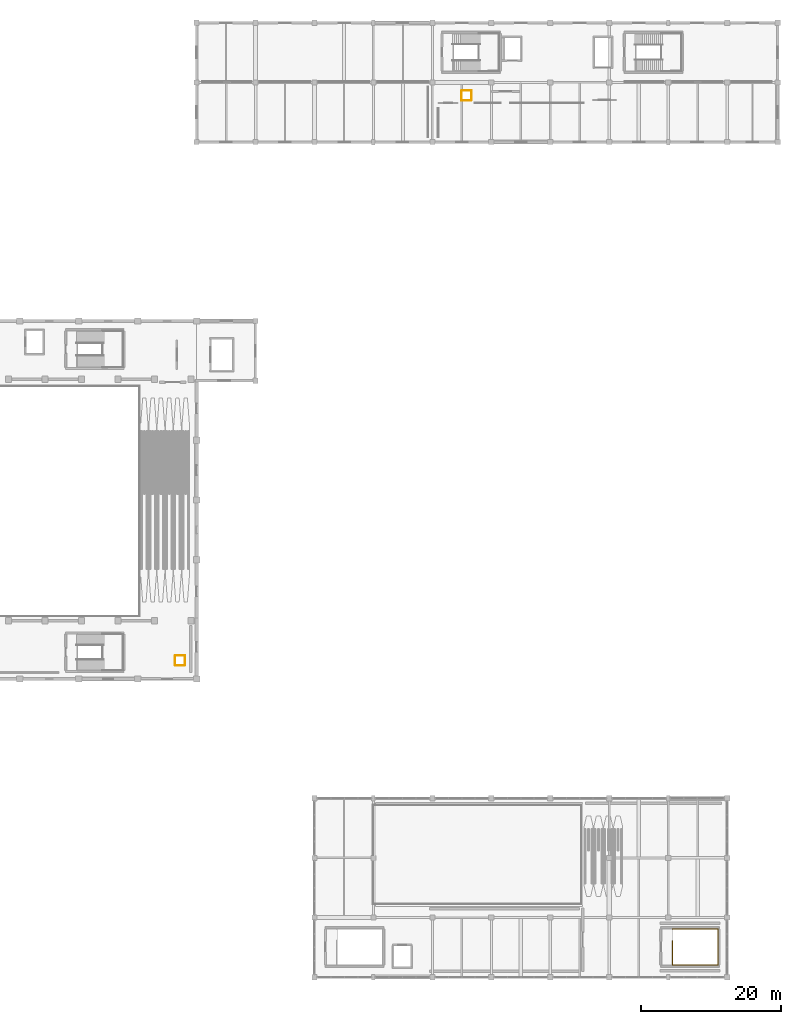
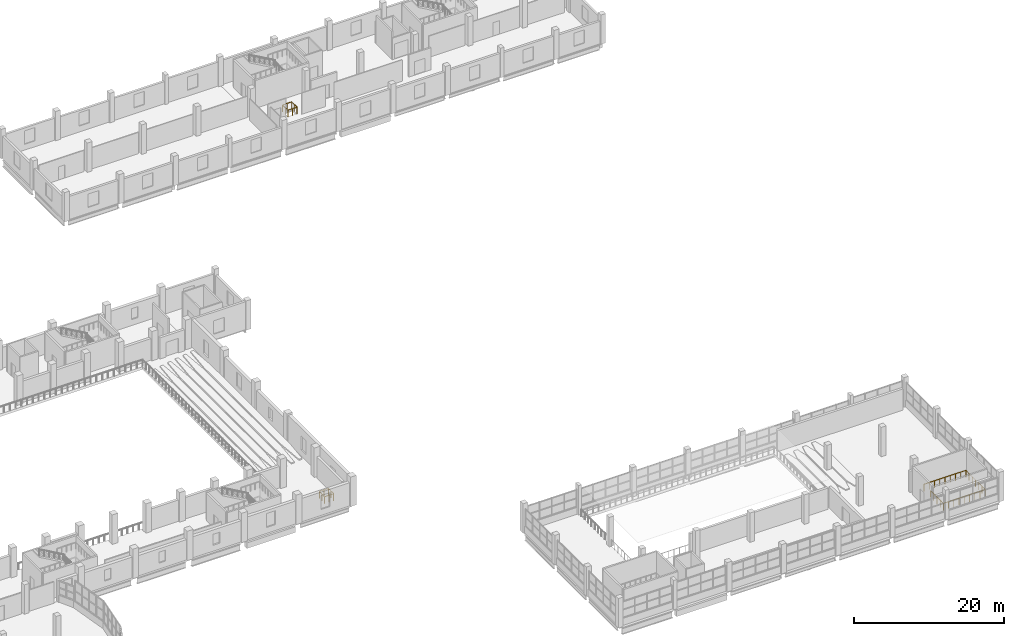
# One storey, part 75 of 77: 5 railings.
"""IFC4 building model written with IfcOpenShell, lengths in metres."""

import ifcopenshell
import ifcopenshell.guid

model = None  # the IFC model being written
_history = None  # IfcOwnerHistory: only IFC2X3 demands one
_inside = {}  # id of a spatial element -> (the spatial element, [elements in it])
_under = {}  # id of a project, library or spatial element -> (it, [spatial elements below it])
_declared = {}  # id of a project -> (the project, [libraries it declares])
_typed = {}  # id of a type object -> (the type object, [elements of that type])
_made_of = {}  # id of a material, layer set ... -> (it, [elements and type objects made of it])


def new_model(schema):
    """Start an empty IFC model of exactly this schema.

    Asked for "IFC4X3", IfcOpenShell would pick the latest addendum, in which some entities
    have other attributes; the version numbers below select the first issue.
    IFC2X3 requires an IfcOwnerHistory on every rooted entity: one is made here for all.
    """
    global model, _history
    if schema == "IFC4X3":
        model = ifcopenshell.file(schema_version=(4, 3, 0, 0))
    else:
        model = ifcopenshell.file(schema=schema)
    _inside.clear()
    _under.clear()
    _declared.clear()
    _typed.clear()
    _made_of.clear()
    _history = None
    if model.schema == "IFC2X3":
        org = make("IfcOrganization", Name="unknown")
        user = make(
            "IfcPersonAndOrganization",
            ThePerson=make("IfcPerson", FamilyName="unknown"),
            TheOrganization=org,
        )
        app = make(
            "IfcApplication",
            ApplicationDeveloper=org,
            Version="unknown",
            ApplicationFullName="unknown",
            ApplicationIdentifier="unknown",
        )
        _history = make(
            "IfcOwnerHistory",
            OwningUser=user,
            OwningApplication=app,
            ChangeAction="ADDED",
            CreationDate=0,
        )
    return model


def make(cls, **values):
    """One entity of the class cls with the attributes given. An attribute that is None is left unset."""
    return model.create_entity(
        cls, **{name: value for name, value in values.items() if value is not None}
    )


def rooted(cls, **values):
    """An entity with a GlobalId (a new one), such as an element, a storey or a relation."""
    return make(cls, GlobalId=ifcopenshell.guid.new(), OwnerHistory=_history, **values)


def si_unit(unit_type, name, prefix=None):
    """IfcSIUnit, for example si_unit("LENGTHUNIT", "METRE", prefix="MILLI")."""
    return make("IfcSIUnit", UnitType=unit_type, Prefix=prefix, Name=name)


def assignment(units):
    """IfcUnitAssignment: the units of a project."""
    return None if units is None else make("IfcUnitAssignment", Units=units)


def point(xyz):
    """IfcCartesianPoint."""
    return None if xyz is None else make("IfcCartesianPoint", Coordinates=xyz)


def direction(xyz):
    """IfcDirection."""
    return None if xyz is None else make("IfcDirection", DirectionRatios=xyz)


def frame(location, z_axis=None, x_axis=None):
    """IfcAxis2Placement3D, a coordinate frame: its origin and axes. An axis left out is left unset."""
    return make(
        "IfcAxis2Placement3D",
        Location=point(location),
        Axis=direction(z_axis),
        RefDirection=direction(x_axis),
    )


def frame_2d(location, x_axis=None):
    """IfcAxis2Placement2D, a coordinate frame in the plane: its origin and x axis."""
    return make(
        "IfcAxis2Placement2D", Location=point(location), RefDirection=direction(x_axis)
    )


def origin():
    """The frame at (0, 0, 0) with its axes left unset."""
    return frame((0.0, 0.0, 0.0))


def origin_2d():
    """The frame at (0, 0) in the plane with its x axis left unset."""
    return frame_2d((0.0, 0.0))


def place(relative_to, where):
    """IfcLocalPlacement: puts the frame where relative to a parent placement (None: the world)."""
    return make(
        "IfcLocalPlacement", PlacementRelTo=relative_to, RelativePlacement=where
    )


def context(
    kind, dimensions, precision=None, world=None, true_north=None, identifier=None
):
    """IfcGeometricRepresentationContext, for example the 3D "Model" context."""
    return make(
        "IfcGeometricRepresentationContext",
        ContextIdentifier=identifier,
        ContextType=kind,
        CoordinateSpaceDimension=dimensions,
        Precision=precision,
        WorldCoordinateSystem=world,
        TrueNorth=true_north,
    )


def subcontext(parent, identifier, kind, view, scale=None):
    """IfcGeometricRepresentationSubContext, for example "Body" below "Model"."""
    return make(
        "IfcGeometricRepresentationSubContext",
        ContextIdentifier=identifier,
        ContextType=kind,
        ParentContext=parent,
        TargetScale=scale,
        TargetView=view,
    )


def project(units=None, contexts=None):
    """IfcProject with its units and contexts."""
    return rooted(
        "IfcProject",
        Name="project",
        RepresentationContexts=contexts,
        UnitsInContext=assignment(units),
    )


def spatial(cls, under=None, at=None, **own):
    """A site, building, storey or space (cls), placed at a placement, below another one or the project."""
    s = rooted(cls, ObjectPlacement=at, **own)
    if under is not None:
        _under.setdefault(under.id(), (under, []))[1].append(s)
    return s


def profile(cls, at=None, kind="AREA", **sizes):
    """A parametric profile (cls). Its sizes go by their IFC names, for example OverallWidth=200.0."""
    return make(cls, ProfileType=kind, Position=at, **sizes)


def circle(**sizes):
    """IfcCircleProfileDef."""
    return profile("IfcCircleProfileDef", **sizes)


def extrude(swept, where, along, depth):
    """IfcExtrudedAreaSolid: the profile swept, set in the frame where, extruded along a direction by depth."""
    return make(
        "IfcExtrudedAreaSolid",
        SweptArea=swept,
        Position=where,
        ExtrudedDirection=direction(along),
        Depth=depth,
    )


def shape(context_of_items, identifier, shape_type, items):
    """IfcShapeRepresentation: the items that make up one representation, for example the "Body"."""
    return make(
        "IfcShapeRepresentation",
        ContextOfItems=context_of_items,
        RepresentationIdentifier=identifier,
        RepresentationType=shape_type,
        Items=items,
    )


def material(Name=None, Category=None):
    """IfcMaterial."""
    return make("IfcMaterial", Name=Name, Category=Category)


def made_of(thing, what):
    """Note that an element or type object is made of a material, layer set ...; save() writes the relation."""
    if what is not None:
        _made_of.setdefault(what.id(), (what, []))[1].append(thing)
    return thing


def type_object(cls, material=None, **own):
    """A type object (cls), such as IfcWallType, which elements share."""
    return made_of(rooted(cls, **own), material)


def element(
    cls,
    number,
    at=None,
    inside=None,
    cuts=None,
    type_object=None,
    material=None,
    context=None,
    identifier="Body",
    shape_type=None,
    held_by="IfcProductDefinitionShape",
    body=None,
    shapes=None,
    **own,
):
    """One element of the class cls, such as IfcWall. Its Tag is "e" and its number.

    at: its placement. inside: the storey or other place that contains it. cuts: it is an
    opening in that element (IfcRelVoidsElement). A single representation is given by context,
    identifier, shape_type and body (its items); several are given by shapes. held_by: the class
    of the entity that holds the representations. save() writes the other relations.
    """
    e = rooted(cls, Tag="e%d" % number, ObjectPlacement=at, **own)
    if body is not None:
        shapes = [shape(context, identifier, shape_type, body)]
    if shapes is not None:
        e.Representation = make(held_by, Representations=shapes)
    if inside is not None:
        _inside.setdefault(inside.id(), (inside, []))[1].append(e)
    if cuts is not None:
        rooted(
            "IfcRelVoidsElement", RelatingBuildingElement=cuts, RelatedOpeningElement=e
        )
    if type_object is not None:
        _typed.setdefault(type_object.id(), (type_object, []))[1].append(e)
    return made_of(e, material)


def aggregate(whole, parts):
    """IfcRelAggregates: a whole, such as a stair, and the parts it consists of."""
    return rooted("IfcRelAggregates", RelatingObject=whole, RelatedObjects=parts)


def save(model, path):
    """Write the relations noted so far, then the file.

    IfcRelAggregates (storeys below a building ...), IfcRelContainedInSpatialStructure (elements
    in a storey), IfcRelDefinesByType, IfcRelAssociatesMaterial and IfcRelDeclares: one each for
    every whole, place, type object, material and project.
    """
    for whole, parts in _under.values():
        aggregate(whole, parts)
    for where, things in _inside.values():
        rooted(
            "IfcRelContainedInSpatialStructure",
            RelatedElements=things,
            RelatingStructure=where,
        )
    for kind, things in _typed.values():
        rooted("IfcRelDefinesByType", RelatedObjects=things, RelatingType=kind)
    for what, things in _made_of.values():
        rooted("IfcRelAssociatesMaterial", RelatedObjects=things, RelatingMaterial=what)
    for by, libraries in _declared.values():
        rooted("IfcRelDeclares", RelatingContext=by, RelatedDefinitions=libraries)
    model.write(path)


model = new_model("IFC4")

# Units and contexts
model_context = context("Model", 3, precision=1e-05, world=origin(), true_north=direction((0.0, 1.0)))
body_context = subcontext(model_context, "Body", "Model", "MODEL_VIEW")
ifc_project = project(units=[si_unit("LENGTHUNIT", "METRE"), si_unit("AREAUNIT", "SQUARE_METRE"), si_unit("VOLUMEUNIT", "CUBIC_METRE"), si_unit("PLANEANGLEUNIT", "RADIAN"), si_unit("MASSUNIT", "GRAM", prefix="KILO")], contexts=[model_context])

# Site, building, storey
site_placement = place(None, origin())
site = spatial("IfcSite", under=ifc_project, at=site_placement, CompositionType="ELEMENT")
building_placement = place(site_placement, origin())
building = spatial("IfcBuilding", under=site, at=building_placement, Name="Solvento Point Concert Hall", CompositionType="ELEMENT")
storey_placement = place(building_placement, frame((0.0, 0.0, 10.199951171875)))
storey = spatial("IfcBuildingStorey", under=building, at=storey_placement, Name="L02", CompositionType="ELEMENT", Elevation=10.199951171875)

# Railings
ifc_material_1 = material(Name="Brushed Stainless Steel Balustrade", Category="steel")
railing_type_1 = type_object("IfcRailingType", Name="StairWellGuard_1100", PredefinedType="BALUSTRADE", material=ifc_material_1)
railing_1_placement = place(storey_placement, frame((201.02001953125, 5.139892578125, 0.0)))
element("IfcRailing", 1, at=railing_1_placement, inside=storey, type_object=railing_type_1, Name="Stairwell guard GR-02 ST-09 L02", PredefinedType="BALUSTRADE", context=body_context, shape_type="SweptSolid", body=[
    extrude(circle(Radius=0.02392578125, at=origin_2d()), frame((0.0, 0.0, 1.09619140625), z_axis=(0.0, -1.0, 0.0), x_axis=(1.0, 0.0, 0.0)), (0.0, 0.0, 1.0), 3.419921875),
    extrude(circle(Radius=0.02392578125, at=origin_2d()), frame((0.0, -3.419921875, 1.09619140625), z_axis=(1.0, 0.0, 0.0), x_axis=(0.0, 1.0, 0.0)), (0.0, 0.0, 1.0), 6.4599609375),
    extrude(circle(Radius=0.02392578125, at=origin_2d()), frame((6.4599609375, -3.419921875, 1.09619140625), z_axis=(0.0, 1.0, 0.0), x_axis=(-1.0, 0.0, 0.0)), (0.0, 0.0, 1.0), 5.159912109375),
    extrude(circle(Radius=0.02392578125, at=origin_2d()), frame((6.4599609375, 1.739990234375, 1.09619140625), z_axis=(-1.0, 0.0, 0.0), x_axis=(0.0, -1.0, 0.0)), (0.0, 0.0, 1.0), 6.4599609375),
    extrude(circle(Radius=0.02392578125, at=origin_2d()), frame((0.0, 1.739990234375, 1.09619140625), z_axis=(0.0, 1.0, 0.0), x_axis=(-1.0, 0.0, 0.0)), (0.0, 0.0, 1.0), 0.02001953125),
    extrude(circle(Radius=0.02099609375, at=origin_2d()), origin(), (0.0, 0.0, 1.0), 1.072021484375),
    extrude(circle(Radius=0.02099609375, at=origin_2d()), frame((0.0, -0.85498046875, 0.0)), (0.0, 0.0, 1.0), 1.072021484375),
    extrude(circle(Radius=0.02099609375, at=origin_2d()), frame((0.0, -1.7099609375, 0.0)), (0.0, 0.0, 1.0), 1.072021484375),
    extrude(circle(Radius=0.02099609375, at=origin_2d()), frame((0.0, -2.56494140625, 0.0)), (0.0, 0.0, 1.0), 1.072021484375),
    extrude(circle(Radius=0.02099609375, at=origin_2d()), frame((0.0, -3.419921875, 0.0)), (0.0, 0.0, 1.0), 1.072021484375),
    extrude(circle(Radius=0.02099609375, at=origin_2d()), frame((0.8076171875, -3.419921875, 0.0)), (0.0, 0.0, 1.0), 1.072021484375),
    extrude(circle(Radius=0.02099609375, at=origin_2d()), frame((1.614990234375, -3.419921875, 0.0)), (0.0, 0.0, 1.0), 1.072021484375),
    extrude(circle(Radius=0.02099609375, at=origin_2d()), frame((2.42236328125, -3.419921875, 0.0)), (0.0, 0.0, 1.0), 1.072021484375),
    extrude(circle(Radius=0.02099609375, at=origin_2d()), frame((3.22998046875, -3.419921875, 0.0)), (0.0, 0.0, 1.0), 1.072021484375),
    extrude(circle(Radius=0.02099609375, at=origin_2d()), frame((4.03759765625, -3.419921875, 0.0)), (0.0, 0.0, 1.0), 1.072021484375),
    extrude(circle(Radius=0.02099609375, at=origin_2d()), frame((4.844970703125, -3.419921875, 0.0)), (0.0, 0.0, 1.0), 1.072021484375),
    extrude(circle(Radius=0.02099609375, at=origin_2d()), frame((5.65234375, -3.419921875, 0.0)), (0.0, 0.0, 1.0), 1.072021484375),
    extrude(circle(Radius=0.02099609375, at=origin_2d()), frame((6.4599609375, -3.419921875, 0.0)), (0.0, 0.0, 1.0), 1.072021484375),
    extrude(circle(Radius=0.02099609375, at=origin_2d()), frame((6.4599609375, -2.56005859375, 0.0)), (0.0, 0.0, 1.0), 1.072021484375),
    extrude(circle(Radius=0.02099609375, at=origin_2d()), frame((6.4599609375, -1.699951171875, 0.0)), (0.0, 0.0, 1.0), 1.072021484375),
    extrude(circle(Radius=0.02099609375, at=origin_2d()), frame((6.4599609375, -0.83984375, 0.0)), (0.0, 0.0, 1.0), 1.072021484375),
    extrude(circle(Radius=0.02099609375, at=origin_2d()), frame((6.4599609375, 0.02001953125, 0.0)), (0.0, 0.0, 1.0), 1.072021484375),
    extrude(circle(Radius=0.02099609375, at=origin_2d()), frame((6.4599609375, 0.8798828125, 0.0)), (0.0, 0.0, 1.0), 1.072021484375),
    extrude(circle(Radius=0.02099609375, at=origin_2d()), frame((6.4599609375, 1.739990234375, 0.0)), (0.0, 0.0, 1.0), 1.072021484375),
    extrude(circle(Radius=0.02099609375, at=origin_2d()), frame((5.65234375, 1.739990234375, 0.0)), (0.0, 0.0, 1.0), 1.072021484375),
    extrude(circle(Radius=0.02099609375, at=origin_2d()), frame((4.844970703125, 1.739990234375, 0.0)), (0.0, 0.0, 1.0), 1.072021484375),
    extrude(circle(Radius=0.02099609375, at=origin_2d()), frame((4.03759765625, 1.739990234375, 0.0)), (0.0, 0.0, 1.0), 1.072021484375),
    extrude(circle(Radius=0.02099609375, at=origin_2d()), frame((3.22998046875, 1.739990234375, 0.0)), (0.0, 0.0, 1.0), 1.072021484375),
    extrude(circle(Radius=0.02099609375, at=origin_2d()), frame((2.42236328125, 1.739990234375, 0.0)), (0.0, 0.0, 1.0), 1.072021484375),
    extrude(circle(Radius=0.02099609375, at=origin_2d()), frame((1.614990234375, 1.739990234375, 0.0)), (0.0, 0.0, 1.0), 1.072021484375),
    extrude(circle(Radius=0.02099609375, at=origin_2d()), frame((0.8076171875, 1.739990234375, 0.0)), (0.0, 0.0, 1.0), 1.072021484375),
    extrude(circle(Radius=0.02099609375, at=origin_2d()), frame((0.0, 1.739990234375, 0.0)), (0.0, 0.0, 1.0), 1.072021484375),
    extrude(circle(Radius=0.02099609375, at=origin_2d()), frame((0.0, 1.760009765625, 0.0)), (0.0, 0.0, 1.0), 1.072021484375),
])
ifc_material_2 = material(Name="Brushed Stainless Steel Balustrade", Category="steel")
railing_type_2 = type_object("IfcRailingType", Name="TerraceBalustrade_1100", PredefinedType="BALUSTRADE", material=ifc_material_2)
railing_2_placement = place(storey_placement, frame((172.360107421875, 124.969970703125, 0.0)))
element("IfcRailing", 2, at=railing_2_placement, inside=storey, type_object=railing_type_2, Name="Guard balustrade GR-01 L02", PredefinedType="BALUSTRADE", context=body_context, shape_type="SweptSolid", body=[
    extrude(circle(Radius=0.02392578125, at=origin_2d()), frame((0.0, 0.0, 1.09619140625), z_axis=(0.0, 1.0, 0.0), x_axis=(-1.0, 0.0, 0.0)), (0.0, 0.0, 1.0), 1.39013671875),
    extrude(circle(Radius=0.02392578125, at=origin_2d()), frame((0.0, 1.39013671875, 1.09619140625), z_axis=(-1.0, 0.0, 0.0), x_axis=(0.0, -1.0, 0.0)), (0.0, 0.0, 1.0), 1.39013671875),
    extrude(circle(Radius=0.02099609375, at=origin_2d()), origin(), (0.0, 0.0, 1.0), 1.072021484375),
    extrude(circle(Radius=0.02099609375, at=origin_2d()), frame((0.0, 0.695068359375, 0.0)), (0.0, 0.0, 1.0), 1.072021484375),
    extrude(circle(Radius=0.02099609375, at=origin_2d()), frame((0.0, 1.39013671875, 0.0)), (0.0, 0.0, 1.0), 1.072021484375),
    extrude(circle(Radius=0.02099609375, at=origin_2d()), frame((-0.695068359375, 1.39013671875, 0.0)), (0.0, 0.0, 1.0), 1.072021484375),
    extrude(circle(Radius=0.02099609375, at=origin_2d()), frame((-1.39013671875, 1.39013671875, 0.0)), (0.0, 0.0, 1.0), 1.072021484375),
])
railing_3_placement = place(storey_placement, frame((170.93994140625, 126.330078125, 0.0)))
element("IfcRailing", 3, at=railing_3_placement, inside=storey, type_object=railing_type_2, Name="Guard balustrade GR-01 L02", PredefinedType="BALUSTRADE", context=body_context, shape_type="SweptSolid", body=[
    extrude(circle(Radius=0.02392578125, at=origin_2d()), frame((0.0, 0.0, 1.09619140625), z_axis=(0.0, -1.0, 0.0), x_axis=(1.0, 0.0, 0.0)), (0.0, 0.0, 1.0), 1.39013671875),
    extrude(circle(Radius=0.02392578125, at=origin_2d()), frame((0.0, -1.39013671875, 1.09619140625), z_axis=(1.0, 0.0, 0.0), x_axis=(0.0, 1.0, 0.0)), (0.0, 0.0, 1.0), 1.39013671875),
    extrude(circle(Radius=0.02099609375, at=origin_2d()), origin(), (0.0, 0.0, 1.0), 1.072021484375),
    extrude(circle(Radius=0.02099609375, at=origin_2d()), frame((0.0, -0.695068359375, 0.0)), (0.0, 0.0, 1.0), 1.072021484375),
    extrude(circle(Radius=0.02099609375, at=origin_2d()), frame((0.0, -1.39013671875, 0.0)), (0.0, 0.0, 1.0), 1.072021484375),
    extrude(circle(Radius=0.02099609375, at=origin_2d()), frame((0.695068359375, -1.39013671875, 0.0)), (0.0, 0.0, 1.0), 1.072021484375),
    extrude(circle(Radius=0.02099609375, at=origin_2d()), frame((1.39013671875, -1.39013671875, 0.0)), (0.0, 0.0, 1.0), 1.072021484375),
])
railing_4_placement = place(storey_placement, frame((131.56005859375, 44.469970703125, 0.0)))
element("IfcRailing", 4, at=railing_4_placement, inside=storey, type_object=railing_type_2, Name="Guard balustrade GR-01 L02", PredefinedType="BALUSTRADE", context=body_context, shape_type="SweptSolid", body=[
    extrude(circle(Radius=0.02392578125, at=origin_2d()), frame((0.0, 0.0, 1.09619140625), z_axis=(0.0, 1.0, 0.0), x_axis=(-1.0, 0.0, 0.0)), (0.0, 0.0, 1.0), 1.39013671875),
    extrude(circle(Radius=0.02392578125, at=origin_2d()), frame((0.0, 1.39013671875, 1.09619140625), z_axis=(-1.0, 0.0, 0.0), x_axis=(0.0, -1.0, 0.0)), (0.0, 0.0, 1.0), 1.39013671875),
    extrude(circle(Radius=0.02099609375, at=origin_2d()), origin(), (0.0, 0.0, 1.0), 1.072021484375),
    extrude(circle(Radius=0.02099609375, at=origin_2d()), frame((0.0, 0.695068359375, 0.0)), (0.0, 0.0, 1.0), 1.072021484375),
    extrude(circle(Radius=0.02099609375, at=origin_2d()), frame((0.0, 1.39013671875, 0.0)), (0.0, 0.0, 1.0), 1.072021484375),
    extrude(circle(Radius=0.02099609375, at=origin_2d()), frame((-0.695068359375, 1.39013671875, 0.0)), (0.0, 0.0, 1.0), 1.072021484375),
    extrude(circle(Radius=0.02099609375, at=origin_2d()), frame((-1.39013671875, 1.39013671875, 0.0)), (0.0, 0.0, 1.0), 1.072021484375),
])
railing_5_placement = place(storey_placement, frame((130.139892578125, 45.830078125, 0.0)))
element("IfcRailing", 5, at=railing_5_placement, inside=storey, type_object=railing_type_2, Name="Guard balustrade GR-01 L02", PredefinedType="BALUSTRADE", context=body_context, shape_type="SweptSolid", body=[
    extrude(circle(Radius=0.02392578125, at=origin_2d()), frame((0.0, 0.0, 1.09619140625), z_axis=(0.0, -1.0, 0.0), x_axis=(1.0, 0.0, 0.0)), (0.0, 0.0, 1.0), 1.39013671875),
    extrude(circle(Radius=0.02392578125, at=origin_2d()), frame((0.0, -1.39013671875, 1.09619140625), z_axis=(1.0, 0.0, 0.0), x_axis=(0.0, 1.0, 0.0)), (0.0, 0.0, 1.0), 1.39013671875),
    extrude(circle(Radius=0.02099609375, at=origin_2d()), origin(), (0.0, 0.0, 1.0), 1.072021484375),
    extrude(circle(Radius=0.02099609375, at=origin_2d()), frame((0.0, -0.695068359375, 0.0)), (0.0, 0.0, 1.0), 1.072021484375),
    extrude(circle(Radius=0.02099609375, at=origin_2d()), frame((0.0, -1.39013671875, 0.0)), (0.0, 0.0, 1.0), 1.072021484375),
    extrude(circle(Radius=0.02099609375, at=origin_2d()), frame((0.695068359375, -1.39013671875, 0.0)), (0.0, 0.0, 1.0), 1.072021484375),
    extrude(circle(Radius=0.02099609375, at=origin_2d()), frame((1.39013671875, -1.39013671875, 0.0)), (0.0, 0.0, 1.0), 1.072021484375),
])

save(model, "model.ifc")
